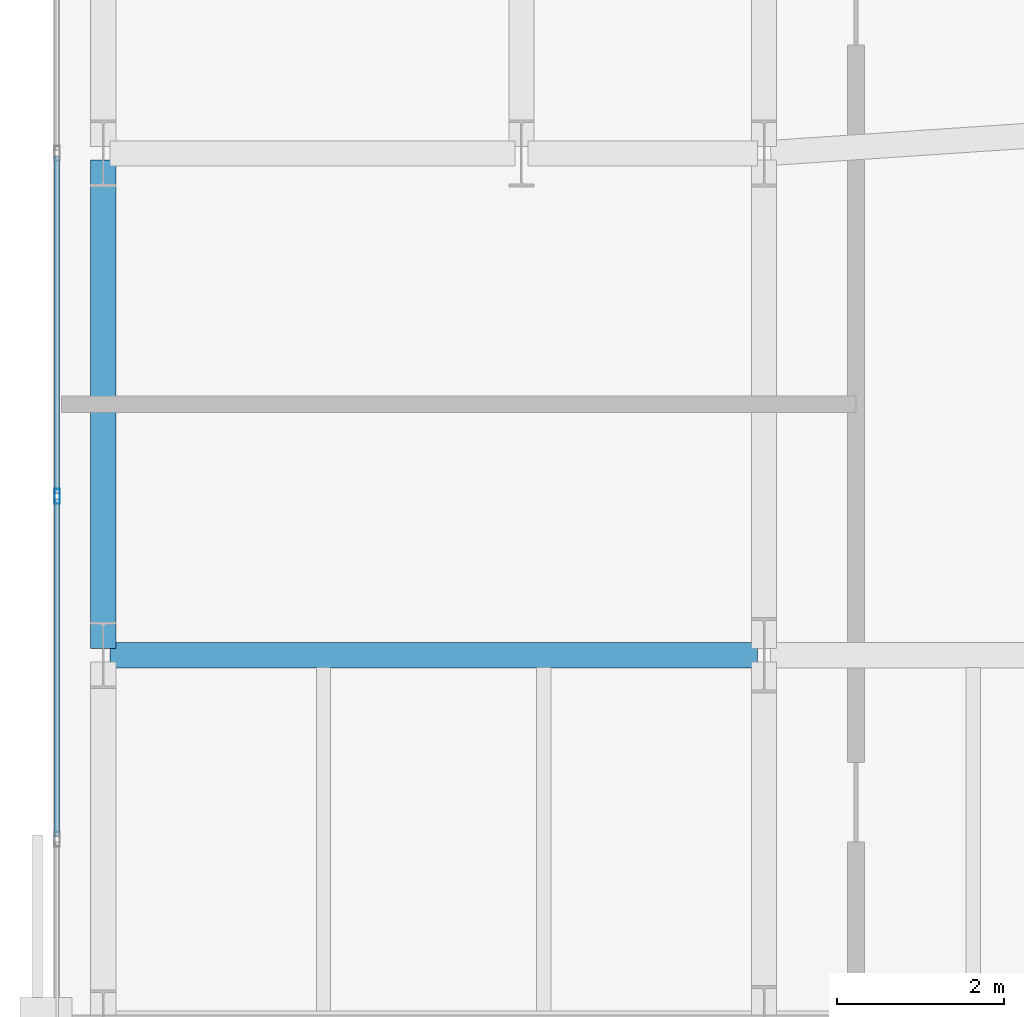
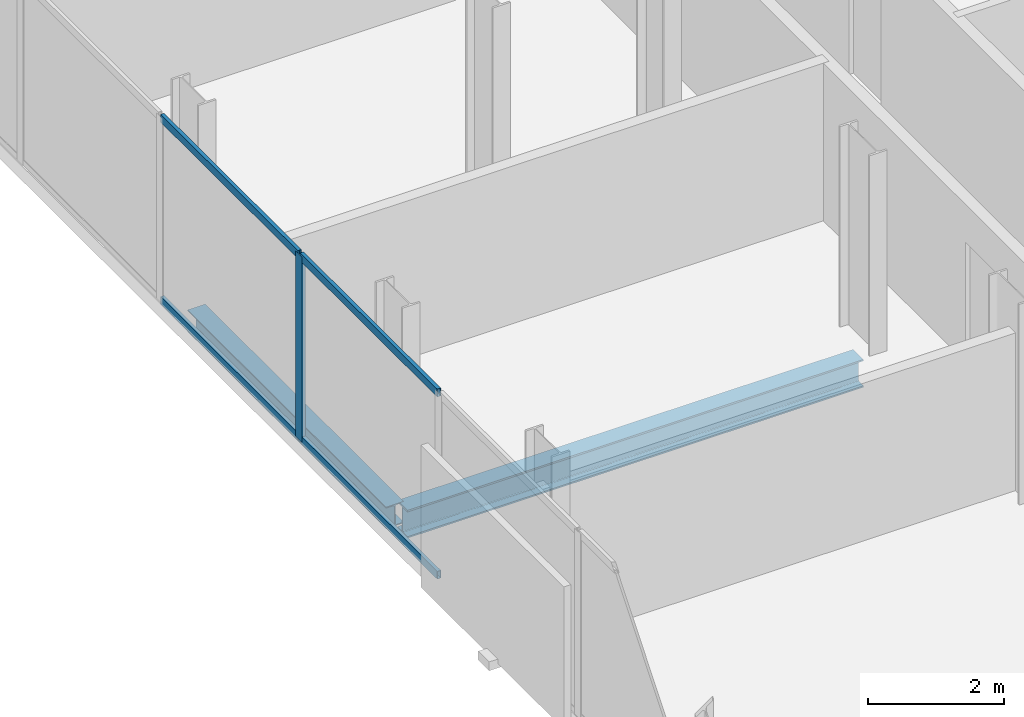
# One storey, part 9 of 32: 5 members, 2 beams, 1 element without a shape of its own.
"""IFC4 building model written with IfcOpenShell, lengths in metres."""

from ifc_helpers import new_model, si_unit, direction, frame, origin, origin_2d, place, context, subcontext, project, spatial, hollow_rectangle, i_section, extrude, material, layer, layer_set, material_profile, profile_set, type_object, element, aggregate, save


model = new_model("IFC4")

# Units and contexts
model_context = context("Model", 3, precision=1e-05, world=origin(), true_north=direction((0.0, 1.0)))
body_context = subcontext(model_context, "Body", "Model", "MODEL_VIEW")
ifc_project = project(units=[si_unit("LENGTHUNIT", "METRE"), si_unit("AREAUNIT", "SQUARE_METRE"), si_unit("VOLUMEUNIT", "CUBIC_METRE"), si_unit("PLANEANGLEUNIT", "RADIAN"), si_unit("MASSUNIT", "GRAM", prefix="KILO")], contexts=[model_context])

# Site, building, storey
site_placement = place(None, origin())
site = spatial("IfcSite", under=ifc_project, at=site_placement, CompositionType="ELEMENT")
building_placement = place(site_placement, origin())
building = spatial("IfcBuilding", under=site, at=building_placement, Name="Catumbela Crestline Tower", CompositionType="ELEMENT")
storey_placement = place(building_placement, frame((0.0, 0.0, 65.4)))
storey = spatial("IfcBuildingStorey", under=building, at=storey_placement, Name="L16", CompositionType="ELEMENT", Elevation=65.4)

# Beam
ifc_material_1 = material(Name="Structural steel S355J2", Category="steel")
ifc_material_profile_1 = material_profile(ifc_material_1, i_section(OverallWidth=0.3, OverallDepth=0.5, WebThickness=0.0145, FlangeThickness=0.028, FilletRadius=0.027, at=origin_2d()), Name="HEB 500")
ifc_profile_set_1 = profile_set([ifc_material_profile_1], Name="Structural steel S355J2")
beam_type_1 = type_object("IfcBeamType", Name="BG-HEB500", PredefinedType="BEAM", material=ifc_profile_set_1)
beam_1_placement = place(storey_placement, frame((0.68, 18.0, -0.51), z_axis=(1.0, 0.0, 0.0), x_axis=(0.0, 1.0, 0.0)))
element("IfcBeam", 1, at=beam_1_placement, inside=storey, type_object=beam_type_1, Name="L16 Beam BM-L16-WEW54", PredefinedType="BEAM", context=body_context, shape_type="SweptSolid", body=[
    extrude(i_section(OverallWidth=0.3, OverallDepth=0.5, WebThickness=0.0145, FlangeThickness=0.028, FilletRadius=0.027, at=origin_2d()), origin(), (0.0, 0.0, 1.0), 7.74),
])

# Curtain wall, member
ifc_material_2 = material(Name="Aluminium alloy AW-6060-T66", Category="aluminium")
ifc_layer = layer(ifc_material_2, 0.18, Name="Aluminium alloy AW-6060-T66")
ifc_layer_set = layer_set([ifc_layer], Name="Aluminium alloy AW-6060-T66")
curtain_wall_type = type_object("IfcCurtainWallType", Name="CWU-Z1", PredefinedType="USERDEFINED", material=ifc_layer_set)
curtain_wall_placement = place(storey_placement, origin())
curtain_wall = element("IfcCurtainWall", 2, at=curtain_wall_placement, inside=storey, type_object=curtain_wall_type, Name="L16 Unitised Curtain Wall CW-L16-E9S1", ObjectType="UNITISED", PredefinedType="USERDEFINED")
ifc_material_profile_2 = material_profile(ifc_material_2, hollow_rectangle(XDim=0.065, YDim=0.18, WallThickness=0.004, at=origin_2d()), Name="ALU 180x65x4")
ifc_profile_set_2 = profile_set([ifc_material_profile_2], Name="Aluminium alloy AW-6060-T66")
member_type_1 = type_object("IfcMemberType", Name="MUL-180X65", PredefinedType="MULLION", material=ifc_profile_set_2)
member_1_placement = place(storey_placement, frame((0.05, 19.9, 0.0), z_axis=(0.0, 0.0, 1.0), x_axis=(1.0, 0.0, 0.0)))
member_1 = element("IfcMember", 3, at=member_1_placement, type_object=member_type_1, Name="CWU-Z1 mullion 7", PredefinedType="MULLION", context=body_context, shape_type="SweptSolid", body=[
    extrude(hollow_rectangle(XDim=0.065, YDim=0.18, WallThickness=0.004, at=origin_2d()), origin(), (0.0, 0.0, 1.0), 3.33),
])

# Beam
ifc_material_profile_3 = material_profile(ifc_material_1, i_section(OverallWidth=0.3, OverallDepth=0.39, WebThickness=0.011, FlangeThickness=0.019, FilletRadius=0.027, at=origin_2d()), Name="HEA 400")
ifc_profile_set_3 = profile_set([ifc_material_profile_3], Name="Structural steel S355J2")
beam_type_2 = type_object("IfcBeamType", Name="BS-HEA400", PredefinedType="SPANDREL", material=ifc_profile_set_3)
beam_2_placement = place(storey_placement, frame((0.6, 18.08, -0.455), z_axis=(0.0, 1.0, 0.0), x_axis=(-1.0, 0.0, 0.0)))
element("IfcBeam", 4, at=beam_2_placement, inside=storey, type_object=beam_type_2, Name="L16 Spandrel SP-L16-WNS60", PredefinedType="SPANDREL", context=body_context, shape_type="SweptSolid", body=[
    extrude(i_section(OverallWidth=0.3, OverallDepth=0.39, WebThickness=0.011, FlangeThickness=0.019, FilletRadius=0.027, at=origin_2d()), origin(), (0.0, 0.0, 1.0), 5.84),
])

# Member
ifc_material_profile_4 = material_profile(ifc_material_2, hollow_rectangle(XDim=0.06, YDim=0.14, WallThickness=0.004, at=origin_2d()), Name="ALU 140x60x4")
ifc_profile_set_4 = profile_set([ifc_material_profile_4], Name="Aluminium alloy AW-6060-T66")
member_type_2 = type_object("IfcMemberType", Name="TRN-140X60", PredefinedType="USERDEFINED", material=ifc_profile_set_4)
member_2_placement = place(storey_placement, frame((0.05, 23.9675, 0.03), z_axis=(0.0, -1.0, 0.0), x_axis=(1.0, 0.0, 0.0)))
member_2 = element("IfcMember", 5, at=member_2_placement, type_object=member_type_2, Name="CWU-Z1 transom 6.1", ObjectType="TRANSOM", PredefinedType="USERDEFINED", context=body_context, shape_type="SweptSolid", body=[
    extrude(hollow_rectangle(XDim=0.06, YDim=0.14, WallThickness=0.004, at=origin_2d()), origin(), (0.0, 0.0, 1.0), 4.035),
])

member_3_placement = place(storey_placement, frame((0.05, 23.9675, 3.3), z_axis=(0.0, -1.0, 0.0), x_axis=(1.0, 0.0, 0.0)))
member_3 = element("IfcMember", 6, at=member_3_placement, type_object=member_type_2, Name="CWU-Z1 transom 6.2", ObjectType="TRANSOM", PredefinedType="USERDEFINED", context=body_context, shape_type="SweptSolid", body=[
    extrude(hollow_rectangle(XDim=0.06, YDim=0.14, WallThickness=0.004, at=origin_2d()), origin(), (0.0, 0.0, 1.0), 4.035),
])

member_4_placement = place(storey_placement, frame((0.05, 19.8675, 0.03), z_axis=(0.0, -1.0, 0.0), x_axis=(1.0, 0.0, 0.0)))
member_4 = element("IfcMember", 7, at=member_4_placement, type_object=member_type_2, Name="CWU-Z1 transom 7.1", ObjectType="TRANSOM", PredefinedType="USERDEFINED", context=body_context, shape_type="SweptSolid", body=[
    extrude(hollow_rectangle(XDim=0.06, YDim=0.14, WallThickness=0.004, at=origin_2d()), origin(), (0.0, 0.0, 1.0), 4.035),
])

member_5_placement = place(storey_placement, frame((0.05, 19.8675, 3.3), z_axis=(0.0, -1.0, 0.0), x_axis=(1.0, 0.0, 0.0)))
member_5 = element("IfcMember", 8, at=member_5_placement, type_object=member_type_2, Name="CWU-Z1 transom 7.2", ObjectType="TRANSOM", PredefinedType="USERDEFINED", context=body_context, shape_type="SweptSolid", body=[
    extrude(hollow_rectangle(XDim=0.06, YDim=0.14, WallThickness=0.004, at=origin_2d()), origin(), (0.0, 0.0, 1.0), 4.035),
])

aggregate(curtain_wall, [member_1, member_2, member_3, member_4, member_5])

save(model, "model.ifc")
